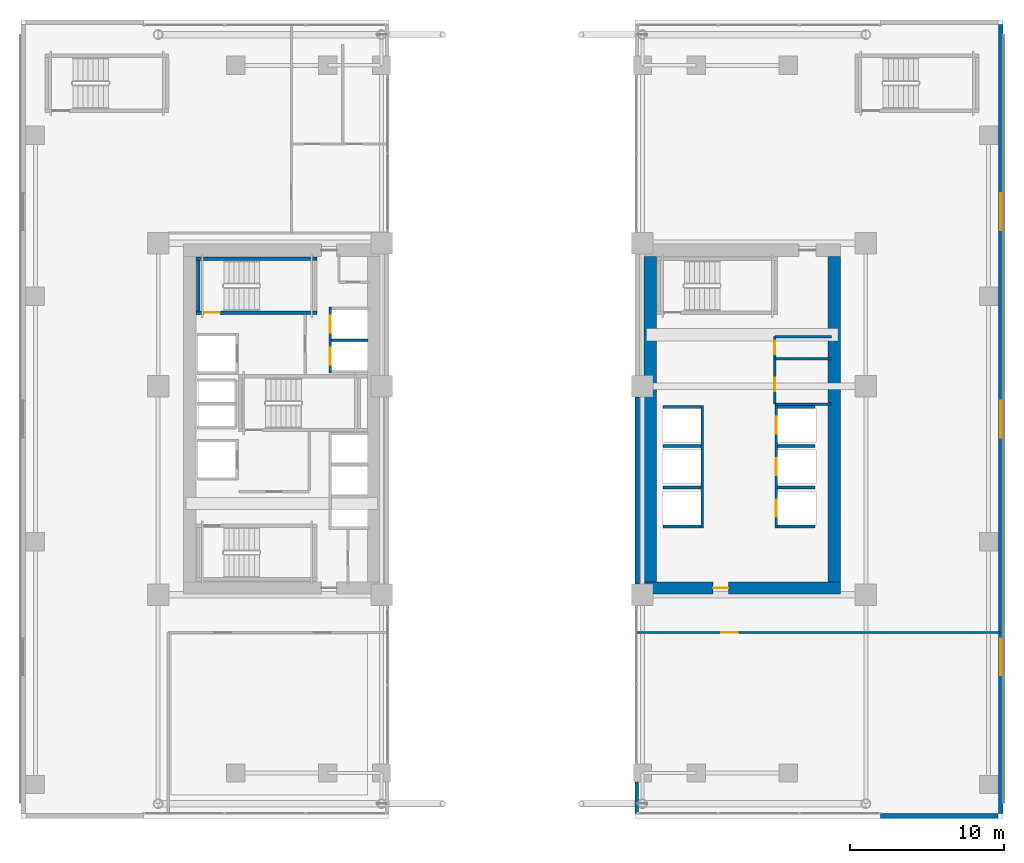
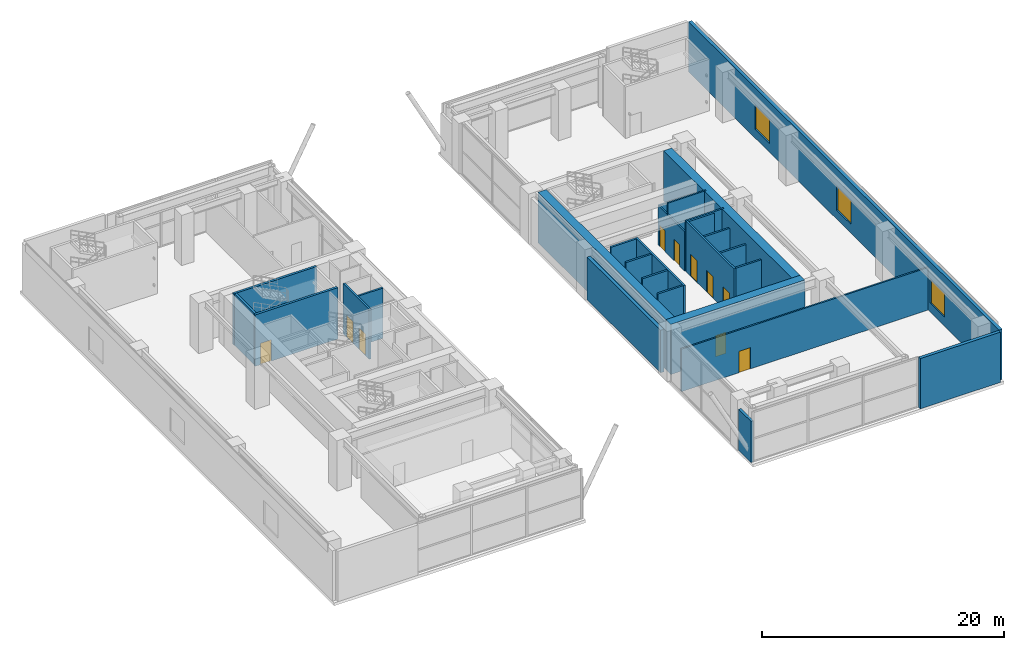
# One storey, part 21 of 29: 27 walls, 10 doors, 3 windows, 13 openings.
"""IFC4 building model written with IfcOpenShell, lengths in metres."""

from ifc_helpers import new_model, si_unit, direction, frame, frame_2d, origin, place, context, subcontext, project, spatial, rectangle, extrude, source, transform, mapped, material, layer, layer_set, type_object, element, fill, save


model = new_model("IFC4")

# Units and contexts
model_context = context("Model", 3, precision=1e-05, world=origin(), true_north=direction((0.0, 1.0)))
body_context = subcontext(model_context, "Body", "Model", "MODEL_VIEW")
ifc_project = project(units=[si_unit("LENGTHUNIT", "METRE"), si_unit("AREAUNIT", "SQUARE_METRE"), si_unit("VOLUMEUNIT", "CUBIC_METRE"), si_unit("PLANEANGLEUNIT", "RADIAN"), si_unit("MASSUNIT", "GRAM", prefix="KILO")], contexts=[model_context])

# Site, building, storey
site_placement = place(None, origin())
site = spatial("IfcSite", under=ifc_project, at=site_placement, CompositionType="ELEMENT")
building_placement = place(site_placement, origin())
building = spatial("IfcBuilding", under=site, at=building_placement, Name="Ocotamira Hotel", CompositionType="ELEMENT")
storey_placement = place(building_placement, frame((0.0, 0.0, 6.0)))
storey = spatial("IfcBuildingStorey", under=building, at=storey_placement, Name="L02", CompositionType="ELEMENT", Elevation=6.0)

# Wall, opening, door
ifc_material_1 = material(Name="Concrete C60/75", Category="concrete")
ifc_layer_1 = layer(ifc_material_1, 0.800048828125)
ifc_layer_set_1 = layer_set([ifc_layer_1], Name="Concrete C60/75")
wall_type_1 = type_object("IfcWallType", Name="WL-CORE-800", PredefinedType="SHEAR", material=ifc_layer_set_1)
wall_1_placement = place(storey_placement, frame((40.60009765625, 15.0, 0.0), z_axis=(0.0, 0.0, 1.0), x_axis=(1.0, 0.0, 0.0)))
wall_1 = element("IfcWall", 1, at=wall_1_placement, inside=storey, type_object=wall_type_1, Name="L02 Shear Core Wall ECORE-S", PredefinedType="SHEAR", context=body_context, shape_type="SweptSolid", body=[
    extrude(rectangle(XDim=12.7998046875, YDim=0.800048828125, at=frame_2d((6.39990234375, 0.0))), origin(), (0.0, 0.0, 1.0), 5.080078125),
])
opening_1_placement = place(wall_1_placement, frame((4.5, 0.0, 0.0)))
opening_1 = element("IfcOpeningElement", 2, at=opening_1_placement, cuts=wall_1, Name="Opening D-FR2", PredefinedType="OPENING", context=body_context, shape_type="SweptSolid", body=[
    extrude(rectangle(XDim=1.0, YDim=2.14990234375, at=frame_2d((0.5, 1.074951171875))), frame((0.0, 0.41015625, 0.0), z_axis=(0.0, -1.0, 0.0), x_axis=(1.0, 0.0, 0.0)), (0.0, 0.0, 1.0), 0.820068359375),
])
ifc_material_2 = material(Name="Fire-rated acoustic timber-veneer door", Category="wood")
door_type_1 = type_object("IfcDoorType", Name="DR-FIRE-1000", OperationType="NOTDEFINED", PredefinedType="DOOR", material=ifc_material_2)
shared_shape_1 = source(origin(), body_context, "Body", "SweptSolid", [
    extrude(rectangle(XDim=1.0, YDim=2.14990234375, at=frame_2d((0.5, 1.074951171875))), frame((0.0, 0.02490234375, 0.0), z_axis=(0.0, -1.0, 0.0), x_axis=(1.0, 0.0, 0.0)), (0.0, 0.0, 1.0), 0.050048828125),
])
door_1_placement = place(opening_1_placement, origin())
door_1 = element("IfcDoor", 3, at=door_1_placement, inside=storey, type_object=door_type_1, Name="L02 Door ID-L02-ELOB-S-D [ID-L02-ELOB-S-D]", OperationType="SINGLE_SWING_RIGHT", OverallHeight=2.14990234375, OverallWidth=1.0, PredefinedType="DOOR", context=body_context, shape_type="MappedRepresentation", body=[
    mapped(shared_shape_1, transform((0.0, 0.0, 0.0), scale=1.0)),
])
fill(opening_1, door_1)

# Walls
for number, where, z_axis, x_axis, name in (
    (4, (41.0, 15.39990234375, 0.0), (0.0, 0.0, 1.0), (0.0, 1.0, 0.0), "L02 Shear Core Wall ECORE-W"),
    (5, (53.0, 15.39990234375, 0.0), (0.0, 0.0, 1.0), (0.0, 1.0, 0.0), "L02 Shear Core Wall ECORE-E"),
):
    element("IfcWall", number, at=place(storey_placement, frame(where, z_axis=z_axis, x_axis=x_axis)), inside=storey, type_object=wall_type_1, Name=name, PredefinedType="SHEAR", context=body_context, shape_type="SweptSolid", body=[
        extrude(rectangle(XDim=21.2001953125, YDim=0.800048828125, at=frame_2d((10.60009765625, 0.0))), origin(), (0.0, 0.0, 1.0), 5.080078125),
    ])

# Wall, openings, windows
ifc_material_3 = material(Name="Travertine-clad precast concrete C45/55", Category="masonry")
ifc_layer_2 = layer(ifc_material_3, 0.300048828125)
ifc_layer_set_2 = layer_set([ifc_layer_2], Name="Travertine-clad precast concrete C45/55")
wall_type_2 = type_object("IfcWallType", Name="WL-EXT-POD-300", PredefinedType="SOLIDWALL", material=ifc_layer_set_2)
wall_2_placement = place(storey_placement, frame((63.85009765625, 51.699951171875, 0.0), z_axis=(0.0, 0.0, 1.0), x_axis=(0.0, -1.0, 0.0)))
wall_2 = element("IfcWall", 6, at=wall_2_placement, inside=storey, type_object=wall_type_2, Name="L02 East Podium Travertine Wall", PredefinedType="SOLIDWALL", context=body_context, shape_type="SweptSolid", body=[
    extrude(rectangle(XDim=51.39990234375, YDim=0.300048828125, at=frame_2d((25.699951171875, 0.0))), origin(), (0.0, 0.0, 1.0), 5.080078125),
])
opening_2_placement = place(wall_2_placement, frame((40.0, 0.0, 0.89990234375)))
opening_2 = element("IfcOpeningElement", 7, at=opening_2_placement, cuts=wall_2, Name="Opening WN-1", PredefinedType="OPENING", context=body_context, shape_type="SweptSolid", body=[
    extrude(rectangle(XDim=2.39990234375, YDim=2.39990234375, at=frame_2d((1.199951171875, 1.199951171875))), frame((0.0, 0.16015625, 0.0), z_axis=(0.0, -1.0, 0.0), x_axis=(1.0, 0.0, 0.0)), (0.0, 0.0, 1.0), 0.320068359375),
])
opening_3_placement = place(wall_2_placement, frame((24.5, 0.0, 0.89990234375)))
opening_3 = element("IfcOpeningElement", 8, at=opening_3_placement, cuts=wall_2, Name="Opening WN-1", PredefinedType="OPENING", context=body_context, shape_type="SweptSolid", body=[
    extrude(rectangle(XDim=2.39990234375, YDim=2.39990234375, at=frame_2d((1.199951171875, 1.199951171875))), frame((0.0, 0.16015625, 0.0), z_axis=(0.0, -1.0, 0.0), x_axis=(1.0, 0.0, 0.0)), (0.0, 0.0, 1.0), 0.320068359375),
])
opening_4_placement = place(wall_2_placement, frame((11.0, 0.0, 0.89990234375)))
opening_4 = element("IfcOpeningElement", 9, at=opening_4_placement, cuts=wall_2, Name="Opening WN-1", PredefinedType="OPENING", context=body_context, shape_type="SweptSolid", body=[
    extrude(rectangle(XDim=2.39990234375, YDim=2.39990234375, at=frame_2d((1.199951171875, 1.199951171875))), frame((0.0, 0.16015625, 0.0), z_axis=(0.0, -1.0, 0.0), x_axis=(1.0, 0.0, 0.0)), (0.0, 0.0, 1.0), 0.320068359375),
])
ifc_material_4 = material(Name="Double-silver low-E solar glass", Category="glass")
window_type = type_object("IfcWindowType", Name="WIN-POD-2400", PartitioningType="SINGLE_PANEL", PredefinedType="WINDOW", material=ifc_material_4)
shared_shape_2 = source(origin(), body_context, "Body", "SweptSolid", [
    extrude(rectangle(XDim=2.39990234375, YDim=2.39990234375, at=frame_2d((1.199951171875, 1.199951171875))), frame((0.0, 0.030029296875, 0.0), z_axis=(0.0, -1.0, 0.0), x_axis=(1.0, 0.0, 0.0)), (0.0, 0.0, 1.0), 0.06005859375),
])
window_1_placement = place(opening_2_placement, origin())
window_1 = element("IfcWindow", 10, at=window_1_placement, inside=storey, type_object=window_type, Name="L02 East Podium Window 1", OverallHeight=2.39990234375, OverallWidth=2.39990234375, PartitioningType="SINGLE_PANEL", PredefinedType="WINDOW", context=body_context, shape_type="MappedRepresentation", body=[
    mapped(shared_shape_2, transform((0.0, 0.0, 0.0), scale=1.0)),
])
fill(opening_2, window_1)
window_2_placement = place(opening_3_placement, origin())
window_2 = element("IfcWindow", 11, at=window_2_placement, inside=storey, type_object=window_type, Name="L02 East Podium Window 2", OverallHeight=2.39990234375, OverallWidth=2.39990234375, PartitioningType="SINGLE_PANEL", PredefinedType="WINDOW", context=body_context, shape_type="MappedRepresentation", body=[
    mapped(shared_shape_2, transform((0.0, 0.0, 0.0), scale=1.0)),
])
fill(opening_3, window_2)
window_3_placement = place(opening_4_placement, origin())
window_3 = element("IfcWindow", 12, at=window_3_placement, inside=storey, type_object=window_type, Name="L02 East Podium Window 3", OverallHeight=2.39990234375, OverallWidth=2.39990234375, PartitioningType="SINGLE_PANEL", PredefinedType="WINDOW", context=body_context, shape_type="MappedRepresentation", body=[
    mapped(shared_shape_2, transform((0.0, 0.0, 0.0), scale=1.0)),
])
fill(opening_4, window_3)

# Walls
wall_3_placement = place(storey_placement, frame((63.64990234375, 0.14990234375, 0.0), z_axis=(0.0, 0.0, 1.0), x_axis=(-1.0, 0.0, 0.0)))
element("IfcWall", 13, at=wall_3_placement, inside=storey, type_object=wall_type_2, Name="L02 S-East Podium Wall", PredefinedType="SOLIDWALL", context=body_context, shape_type="SweptSolid", body=[
    extrude(rectangle(XDim=7.64990234375, YDim=0.300048828125, at=frame_2d((3.824951171875, 0.0))), origin(), (0.0, 0.0, 1.0), 5.080078125),
])
wall_4_placement = place(storey_placement, frame((40.1201171875, 0.300048828125, 0.0), z_axis=(0.0, 0.0, 1.0), x_axis=(0.0, 1.0, 0.0)))
element("IfcWall", 14, at=wall_4_placement, inside=storey, type_object=wall_type_2, Name="L02 Giant Arch South Corner Cheek Wall AE", PredefinedType="SOLIDWALL", context=body_context, shape_type="SweptSolid", body=[
    extrude(rectangle(XDim=2.050048828125, YDim=0.239990234375, at=frame_2d((1.02490234375, 0.0))), origin(), (0.0, 0.0, 1.0), 4.153076171875),
])
wall_5_placement = place(storey_placement, frame((40.14990234375, 15.25, 0.0), z_axis=(0.0, 0.0, 1.0), x_axis=(0.0, 1.0, 0.0)))
element("IfcWall", 15, at=wall_5_placement, inside=storey, type_object=wall_type_2, Name="L02 Giant Arch Core Cheek Wall AE-1", PredefinedType="SOLIDWALL", context=body_context, shape_type="SweptSolid", body=[
    extrude(rectangle(XDim=12.199951171875, YDim=0.300048828125, at=frame_2d((6.10009765625, 0.0))), origin(), (0.0, 0.0, 1.0), 4.301025390625),
])
ifc_material_5 = material(Name="Acoustic double-layer fire gypsum board partition", Category="gypsum")
ifc_layer_3 = layer(ifc_material_5, 0.159912109375)
ifc_layer_set_3 = layer_set([ifc_layer_3], Name="Acoustic double-layer fire gypsum board partition")
wall_type_3 = type_object("IfcWallType", Name="WL-FIRE-160", PredefinedType="PARTITIONING", material=ifc_layer_set_3)
wall_6_placement = place(storey_placement, frame((49.1201171875, 26.969970703125, 0.0), z_axis=(0.0, 0.0, 1.0), x_axis=(1.0, 0.0, 0.0)))
element("IfcWall", 16, at=wall_6_placement, inside=storey, type_object=wall_type_3, Name="L02 Interior Wall PW-L02-EC-NE-S", PredefinedType="PARTITIONING", context=body_context, shape_type="SweptSolid", body=[
    extrude(rectangle(XDim=3.679931640625, YDim=0.159912109375, at=frame_2d((1.83984375, 0.0))), origin(), (0.0, 0.0, 1.0), 5.080078125),
])
wall_7_placement = place(storey_placement, frame((49.1201171875, 31.3798828125, 0.0), z_axis=(0.0, 0.0, 1.0), x_axis=(1.0, 0.0, 0.0)))
element("IfcWall", 17, at=wall_7_placement, inside=storey, type_object=wall_type_3, Name="L02 Interior Wall PW-L02-EC-NE-N", PredefinedType="PARTITIONING", context=body_context, shape_type="SweptSolid", body=[
    extrude(rectangle(XDim=3.679931640625, YDim=0.159912109375, at=frame_2d((1.83984375, 0.0))), origin(), (0.0, 0.0, 1.0), 3.97998046875),
])

# Wall, openings, doors
wall_8_placement = place(storey_placement, frame((49.1201171875, 26.969970703125, 0.0), z_axis=(0.0, 0.0, 1.0), x_axis=(0.0, 1.0, 0.0)))
wall_8 = element("IfcWall", 18, at=wall_8_placement, inside=storey, type_object=wall_type_3, Name="L02 Interior Wall PW-L02-EC-NE-W", PredefinedType="PARTITIONING", context=body_context, shape_type="SweptSolid", body=[
    extrude(rectangle(XDim=4.409912109375, YDim=0.159912109375, at=frame_2d((2.205078125, 0.0))), origin(), (0.0, 0.0, 1.0), 3.97998046875),
])
opening_5_placement = place(wall_8_placement, frame((0.85009765625, 0.0, 0.0)))
opening_5 = element("IfcOpeningElement", 19, at=opening_5_placement, cuts=wall_8, Name="Opening D-SV2", PredefinedType="OPENING", context=body_context, shape_type="SweptSolid", body=[
    extrude(rectangle(XDim=0.8798828125, YDim=2.14990234375, at=frame_2d((0.43994140625, 1.074951171875))), frame((0.0, 0.08984375, 0.0), z_axis=(0.0, -1.0, 0.0), x_axis=(1.0, 0.0, 0.0)), (0.0, 0.0, 1.0), 0.179931640625),
])
opening_6_placement = place(wall_8_placement, frame((3.25, 0.0, 0.0)))
opening_6 = element("IfcOpeningElement", 20, at=opening_6_placement, cuts=wall_8, Name="Opening D-SV2", PredefinedType="OPENING", context=body_context, shape_type="SweptSolid", body=[
    extrude(rectangle(XDim=0.8798828125, YDim=2.14990234375, at=frame_2d((0.43994140625, 1.074951171875))), frame((0.0, 0.08984375, 0.0), z_axis=(0.0, -1.0, 0.0), x_axis=(1.0, 0.0, 0.0)), (0.0, 0.0, 1.0), 0.179931640625),
])
ifc_material_6 = material(Name="Fire-rated painted steel service door", Category="steel")
door_type_2 = type_object("IfcDoorType", Name="DR-SERV-880", OperationType="NOTDEFINED", PredefinedType="DOOR", material=ifc_material_6)
shared_shape_3 = source(origin(), body_context, "Body", "SweptSolid", [
    extrude(rectangle(XDim=0.8798828125, YDim=2.14990234375, at=frame_2d((0.43994140625, 1.074951171875))), frame((0.0, 0.02490234375, 0.0), z_axis=(0.0, -1.0, 0.0), x_axis=(1.0, 0.0, 0.0)), (0.0, 0.0, 1.0), 0.050048828125),
])
door_2_placement = place(opening_5_placement, origin())
door_2 = element("IfcDoor", 21, at=door_2_placement, inside=storey, type_object=door_type_2, Name="L02 Door ID-L02-EC-NE-D1 [ID-L02-EC-NE-D1]", OperationType="SINGLE_SWING_LEFT", OverallHeight=2.14990234375, OverallWidth=0.8798828125, PredefinedType="DOOR", context=body_context, shape_type="MappedRepresentation", body=[
    mapped(shared_shape_3, transform((0.0, 0.0, 0.0), scale=1.0)),
])
fill(opening_5, door_2)
door_3_placement = place(opening_6_placement, origin())
door_3 = element("IfcDoor", 22, at=door_3_placement, inside=storey, type_object=door_type_2, Name="L02 Door ID-L02-EC-NE-D2 [ID-L02-EC-NE-D2]", OperationType="SINGLE_SWING_RIGHT", OverallHeight=2.14990234375, OverallWidth=0.8798828125, PredefinedType="DOOR", context=body_context, shape_type="MappedRepresentation", body=[
    mapped(shared_shape_3, transform((0.0, 0.0, 0.0), scale=1.0)),
])
fill(opening_6, door_3)

# Wall
ifc_material_7 = material(Name="Acoustic hospitality gypsum board partition", Category="gypsum")
ifc_layer_4 = layer(ifc_material_7, 0.14990234375)
ifc_layer_set_4 = layer_set([ifc_layer_4], Name="Acoustic hospitality gypsum board partition")
wall_type_4 = type_object("IfcWallType", Name="WL-PART-150", PredefinedType="PARTITIONING", material=ifc_layer_set_4)
wall_9_placement = place(storey_placement, frame((49.1201171875, 29.929931640625, 0.0), z_axis=(0.0, 0.0, 1.0), x_axis=(1.0, 0.0, 0.0)))
element("IfcWall", 23, at=wall_9_placement, inside=storey, type_object=wall_type_4, Name="L02 Interior Wall PW-L02-EC-NE-Y", PredefinedType="PARTITIONING", context=body_context, shape_type="SweptSolid", body=[
    extrude(rectangle(XDim=3.679931640625, YDim=0.14990234375, at=frame_2d((1.83984375, 0.0))), origin(), (0.0, 0.0, 1.0), 5.080078125),
])

# Wall, opening, door
wall_10_placement = place(storey_placement, frame((40.1201171875, 12.10009765625, 0.0), z_axis=(0.0, 0.0, 1.0), x_axis=(1.0, 0.0, 0.0)))
wall_10 = element("IfcWall", 24, at=wall_10_placement, inside=storey, type_object=wall_type_4, Name="L02 Interior Wall PW-L02-L02-R2-N", PredefinedType="PARTITIONING", context=body_context, shape_type="SweptSolid", body=[
    extrude(rectangle(XDim=23.679931640625, YDim=0.14990234375, at=frame_2d((11.83984375, 0.0))), origin(), (0.0, 0.0, 1.0), 4.301025390625),
])
opening_7_placement = place(wall_10_placement, frame((5.5, 0.0, 0.0)))
opening_7 = element("IfcOpeningElement", 25, at=opening_7_placement, cuts=wall_10, Name="Opening D-FR1", PredefinedType="OPENING", context=body_context, shape_type="SweptSolid", body=[
    extrude(rectangle(XDim=1.10009765625, YDim=2.14990234375, at=frame_2d((0.550048828125, 1.074951171875))), frame((0.0, 0.0849609375, 0.0), z_axis=(0.0, -1.0, 0.0), x_axis=(1.0, 0.0, 0.0)), (0.0, 0.0, 1.0), 0.169921875),
])
door_type_3 = type_object("IfcDoorType", Name="DR-FIRE-1100", OperationType="NOTDEFINED", PredefinedType="DOOR", material=ifc_material_2)
shared_shape_4 = source(origin(), body_context, "Body", "SweptSolid", [
    extrude(rectangle(XDim=1.10009765625, YDim=2.14990234375, at=frame_2d((0.550048828125, 1.074951171875))), frame((0.0, 0.02490234375, 0.0), z_axis=(0.0, -1.0, 0.0), x_axis=(1.0, 0.0, 0.0)), (0.0, 0.0, 1.0), 0.050048828125),
])
door_4_placement = place(opening_7_placement, origin())
door_4 = element("IfcDoor", 26, at=door_4_placement, inside=storey, type_object=door_type_3, Name="L02 Door ID-L02-L02-R2-D [ID-L02-L02-R2-D]", OperationType="SINGLE_SWING_LEFT", OverallHeight=2.14990234375, OverallWidth=1.10009765625, PredefinedType="DOOR", context=body_context, shape_type="MappedRepresentation", body=[
    mapped(shared_shape_4, transform((0.0, 0.0, 0.0), scale=1.0)),
])
fill(opening_7, door_4)

# Wall, openings, doors
ifc_material_8 = material(Name="Fire-rated gypsum shaftliner board assembly", Category="gypsum")
ifc_layer_5 = layer(ifc_material_8, 0.179931640625)
ifc_layer_set_5 = layer_set([ifc_layer_5], Name="Fire-rated gypsum shaftliner board assembly")
wall_type_5 = type_object("IfcWallType", Name="WL-SHAFT-180", PredefinedType="SOLIDWALL", material=ifc_layer_set_5)
wall_11_placement = place(storey_placement, frame((49.2099609375, 18.919921875, 0.0), z_axis=(0.0, 0.0, 1.0), x_axis=(0.0, 1.0, 0.0)))
wall_11 = element("IfcWall", 27, at=wall_11_placement, inside=storey, type_object=wall_type_5, Name="L02 Interior Wall PW-L02-LFW-BANK-low-F", PredefinedType="SOLIDWALL", context=body_context, shape_type="SweptSolid", body=[
    extrude(rectangle(XDim=7.9599609375, YDim=0.179931640625, at=frame_2d((3.97998046875, 0.0))), origin(), (0.0, 0.0, 1.0), 5.080078125),
])
opening_8_placement = place(wall_11_placement, frame((0.72998046875, 0.0, 0.0)))
opening_8 = element("IfcOpeningElement", 28, at=opening_8_placement, cuts=wall_11, Name="Opening LD-LF-P1", PredefinedType="OPENING", context=body_context, shape_type="SweptSolid", body=[
    extrude(rectangle(XDim=1.10009765625, YDim=2.199951171875, at=frame_2d((0.550048828125, 1.10009765625))), frame((0.0, 0.10009765625, 0.0), z_axis=(0.0, -1.0, 0.0), x_axis=(1.0, 0.0, 0.0)), (0.0, 0.0, 1.0), 0.199951171875),
])
opening_9_placement = place(wall_11_placement, frame((3.429931640625, 0.0, 0.0)))
opening_9 = element("IfcOpeningElement", 29, at=opening_9_placement, cuts=wall_11, Name="Opening LD-LF-P2", PredefinedType="OPENING", context=body_context, shape_type="SweptSolid", body=[
    extrude(rectangle(XDim=1.10009765625, YDim=2.199951171875, at=frame_2d((0.550048828125, 1.10009765625))), frame((0.0, 0.10009765625, 0.0), z_axis=(0.0, -1.0, 0.0), x_axis=(1.0, 0.0, 0.0)), (0.0, 0.0, 1.0), 0.199951171875),
])
opening_10_placement = place(wall_11_placement, frame((6.1298828125, 0.0, 0.0)))
opening_10 = element("IfcOpeningElement", 30, at=opening_10_placement, cuts=wall_11, Name="Opening LD-LF-P3", PredefinedType="OPENING", context=body_context, shape_type="SweptSolid", body=[
    extrude(rectangle(XDim=1.10009765625, YDim=2.199951171875, at=frame_2d((0.550048828125, 1.10009765625))), frame((0.0, 0.10009765625, 0.0), z_axis=(0.0, -1.0, 0.0), x_axis=(1.0, 0.0, 0.0)), (0.0, 0.0, 1.0), 0.199951171875),
])
ifc_material_9 = material(Name="Brushed pale-metal stainless elevator landing door", Category="steel")
door_type_4 = type_object("IfcDoorType", Name="DR-LIFT-1100", OperationType="NOTDEFINED", PredefinedType="DOOR", material=ifc_material_9)
shared_shape_5 = source(origin(), body_context, "Body", "SweptSolid", [
    extrude(rectangle(XDim=1.10009765625, YDim=2.199951171875, at=frame_2d((0.550048828125, 1.10009765625))), frame((0.0, 0.02490234375, 0.0), z_axis=(0.0, -1.0, 0.0), x_axis=(1.0, 0.0, 0.0)), (0.0, 0.0, 1.0), 0.050048828125),
])
door_5_placement = place(opening_8_placement, origin())
door_5 = element("IfcDoor", 31, at=door_5_placement, inside=storey, type_object=door_type_4, Name="L02 Landing Door LD-LF-P1 [ID-L02-LD-LF-P1]", OperationType="DOUBLE_DOOR_SLIDING", OverallHeight=2.199951171875, OverallWidth=1.10009765625, PredefinedType="DOOR", context=body_context, shape_type="MappedRepresentation", body=[
    mapped(shared_shape_5, transform((0.0, 0.0, 0.0), scale=1.0)),
])
fill(opening_8, door_5)
door_6_placement = place(opening_9_placement, origin())
door_6 = element("IfcDoor", 32, at=door_6_placement, inside=storey, type_object=door_type_4, Name="L02 Landing Door LD-LF-P2 [ID-L02-LD-LF-P2]", OperationType="DOUBLE_DOOR_SLIDING", OverallHeight=2.199951171875, OverallWidth=1.10009765625, PredefinedType="DOOR", context=body_context, shape_type="MappedRepresentation", body=[
    mapped(shared_shape_5, transform((0.0, 0.0, 0.0), scale=1.0)),
])
fill(opening_9, door_6)
door_7_placement = place(opening_10_placement, origin())
door_7 = element("IfcDoor", 33, at=door_7_placement, inside=storey, type_object=door_type_4, Name="L02 Landing Door LD-LF-P3 [ID-L02-LD-LF-P3]", OperationType="DOUBLE_DOOR_SLIDING", OverallHeight=2.199951171875, OverallWidth=1.10009765625, PredefinedType="DOOR", context=body_context, shape_type="MappedRepresentation", body=[
    mapped(shared_shape_5, transform((0.0, 0.0, 0.0), scale=1.0)),
])
fill(opening_10, door_7)

# Walls
for number, where, z_axis, x_axis, name in (
    (34, (49.300048828125, 19.010009765625, 0.0), (0.0, 0.0, 1.0), (1.0, 0.0, 0.0), "L02 Interior Wall PW-L02-LFW-BANK-low-S"),
    (35, (49.300048828125, 26.7900390625, 0.0), (0.0, 0.0, 1.0), (1.0, 0.0, 0.0), "L02 Interior Wall PW-L02-LFW-BANK-low-N"),
    (36, (49.300048828125, 21.550048828125, 0.0), (0.0, 0.0, 1.0), (1.0, 0.0, 0.0), "L02 Interior Wall PW-L02-LFW-DIV-LF-P1"),
    (37, (49.300048828125, 24.25, 0.0), (0.0, 0.0, 1.0), (1.0, 0.0, 0.0), "L02 Interior Wall PW-L02-LFW-DIV-LF-P2"),
):
    element("IfcWall", number, at=place(storey_placement, frame(where, z_axis=z_axis, x_axis=x_axis)), inside=storey, type_object=wall_type_5, Name=name, PredefinedType="SOLIDWALL", context=body_context, shape_type="SweptSolid", body=[
        extrude(rectangle(XDim=2.449951171875, YDim=0.179931640625, at=frame_2d((1.22509765625, 0.0))), origin(), (0.0, 0.0, 1.0), 5.080078125),
    ])
wall_12_placement = place(storey_placement, frame((44.389892578125, 18.919921875, 0.0), z_axis=(0.0, 0.0, 1.0), x_axis=(0.0, 1.0, 0.0)))
element("IfcWall", 38, at=wall_12_placement, inside=storey, type_object=wall_type_5, Name="L02 Interior Wall PW-L02-LFW-BANK-mid-F", PredefinedType="SOLIDWALL", context=body_context, shape_type="SweptSolid", body=[
    extrude(rectangle(XDim=7.9599609375, YDim=0.179931640625, at=frame_2d((3.97998046875, 0.0))), origin(), (0.0, 0.0, 1.0), 5.080078125),
])
for number, where, z_axis, x_axis, name in (
    (39, (41.85009765625, 19.010009765625, 0.0), (0.0, 0.0, 1.0), (1.0, 0.0, 0.0), "L02 Interior Wall PW-L02-LFW-BANK-mid-S"),
    (40, (41.85009765625, 26.7900390625, 0.0), (0.0, 0.0, 1.0), (1.0, 0.0, 0.0), "L02 Interior Wall PW-L02-LFW-BANK-mid-N"),
    (41, (41.85009765625, 21.550048828125, 0.0), (0.0, 0.0, 1.0), (1.0, 0.0, 0.0), "L02 Interior Wall PW-L02-LFW-DIV-LF-P4"),
    (42, (41.85009765625, 24.25, 0.0), (0.0, 0.0, 1.0), (1.0, 0.0, 0.0), "L02 Interior Wall PW-L02-LFW-DIV-LF-P5"),
):
    element("IfcWall", number, at=place(storey_placement, frame(where, z_axis=z_axis, x_axis=x_axis)), inside=storey, type_object=wall_type_5, Name=name, PredefinedType="SOLIDWALL", context=body_context, shape_type="SweptSolid", body=[
        extrude(rectangle(XDim=2.449951171875, YDim=0.179931640625, at=frame_2d((1.22509765625, 0.0))), origin(), (0.0, 0.0, 1.0), 5.080078125),
    ])

# Wall, openings, doors
wall_13_placement = place(storey_placement, frame((20.159912109375, 29.0, 0.0), z_axis=(0.0, 0.0, 1.0), x_axis=(0.0, 1.0, 0.0)))
wall_13 = element("IfcWall", 43, at=wall_13_placement, inside=storey, type_object=wall_type_5, Name="L02 Interior Wall PW-L02-LFW-BANK-obs-F", PredefinedType="SOLIDWALL", context=body_context, shape_type="SweptSolid", body=[
    extrude(rectangle(XDim=4.2900390625, YDim=0.179931640625, at=frame_2d((2.14501953125, 0.0))), origin(), (0.0, 0.0, 1.0), 5.080078125),
])
opening_11_placement = place(wall_13_placement, frame((0.554931640625, 0.0, 0.0)))
opening_11 = element("IfcOpeningElement", 44, at=opening_11_placement, cuts=wall_13, Name="Opening LD-LF-OBS1", PredefinedType="OPENING", context=body_context, shape_type="SweptSolid", body=[
    extrude(rectangle(XDim=1.10009765625, YDim=2.199951171875, at=frame_2d((0.550048828125, 1.10009765625))), frame((0.0, 0.10009765625, 0.0), z_axis=(0.0, -1.0, 0.0), x_axis=(1.0, 0.0, 0.0)), (0.0, 0.0, 1.0), 0.199951171875),
])
opening_12_placement = place(wall_13_placement, frame((2.635009765625, 0.0, 0.0)))
opening_12 = element("IfcOpeningElement", 45, at=opening_12_placement, cuts=wall_13, Name="Opening LD-LF-OBS2", PredefinedType="OPENING", context=body_context, shape_type="SweptSolid", body=[
    extrude(rectangle(XDim=1.10009765625, YDim=2.199951171875, at=frame_2d((0.550048828125, 1.10009765625))), frame((0.0, 0.10009765625, 0.0), z_axis=(0.0, -1.0, 0.0), x_axis=(1.0, 0.0, 0.0)), (0.0, 0.0, 1.0), 0.199951171875),
])
door_8_placement = place(opening_11_placement, origin())
door_8 = element("IfcDoor", 46, at=door_8_placement, inside=storey, type_object=door_type_4, Name="L02 Landing Door LD-LF-OBS1 [ID-L02-LD-LF-OBS1]", OperationType="DOUBLE_DOOR_SLIDING", OverallHeight=2.199951171875, OverallWidth=1.10009765625, PredefinedType="DOOR", context=body_context, shape_type="MappedRepresentation", body=[
    mapped(shared_shape_5, transform((0.0, 0.0, 0.0), scale=1.0)),
])
fill(opening_11, door_8)
door_9_placement = place(opening_12_placement, origin())
door_9 = element("IfcDoor", 47, at=door_9_placement, inside=storey, type_object=door_type_4, Name="L02 Landing Door LD-LF-OBS2 [ID-L02-LD-LF-OBS2]", OperationType="DOUBLE_DOOR_SLIDING", OverallHeight=2.199951171875, OverallWidth=1.10009765625, PredefinedType="DOOR", context=body_context, shape_type="MappedRepresentation", body=[
    mapped(shared_shape_5, transform((0.0, 0.0, 0.0), scale=1.0)),
])
fill(opening_12, door_9)

# Wall
wall_14_placement = place(storey_placement, frame((20.25, 31.14501953125, 0.0), z_axis=(0.0, 0.0, 1.0), x_axis=(1.0, 0.0, 0.0)))
element("IfcWall", 48, at=wall_14_placement, inside=storey, type_object=wall_type_5, Name="L02 Interior Wall PW-L02-LFW-DIV-LF-OBS1", PredefinedType="SOLIDWALL", context=body_context, shape_type="SweptSolid", body=[
    extrude(rectangle(XDim=2.360107421875, YDim=0.179931640625, at=frame_2d((1.18017578125, 0.0))), origin(), (0.0, 0.0, 1.0), 5.080078125),
])

# Wall, opening, door
ifc_material_10 = material(Name="Concrete C50/60", Category="concrete")
ifc_layer_6 = layer(ifc_material_10, 0.219970703125)
ifc_layer_set_6 = layer_set([ifc_layer_6], Name="Concrete C50/60")
wall_type_6 = type_object("IfcWallType", Name="WL-STAIR-220", PredefinedType="SHEAR", material=ifc_layer_set_6)
wall_15_placement = place(storey_placement, frame((11.39990234375, 32.93994140625, 0.0), z_axis=(0.0, 0.0, 1.0), x_axis=(1.0, 0.0, 0.0)))
wall_15 = element("IfcWall", 49, at=wall_15_placement, inside=storey, type_object=wall_type_6, Name="L02 Stair Shaft Structural Wall ST-2-S", PredefinedType="SHEAR", context=body_context, shape_type="SweptSolid", body=[
    extrude(rectangle(XDim=7.91015625, YDim=0.219970703125, at=frame_2d((3.955078125, 0.0))), origin(), (0.0, 0.0, 1.0), 5.199951171875),
])
opening_13_placement = place(wall_15_placement, frame((0.52001953125, 0.0, 0.0)))
opening_13 = element("IfcOpeningElement", 50, at=opening_13_placement, cuts=wall_15, Name="Opening D-ST2", PredefinedType="OPENING", context=body_context, shape_type="SweptSolid", body=[
    extrude(rectangle(XDim=1.050048828125, YDim=2.14990234375, at=frame_2d((0.52490234375, 1.074951171875))), frame((0.0, 0.1201171875, 0.0), z_axis=(0.0, -1.0, 0.0), x_axis=(1.0, 0.0, 0.0)), (0.0, 0.0, 1.0), 0.239990234375),
])
ifc_material_11 = material(Name="Insulated painted hollow-metal fire exit door", Category="steel")
door_type_5 = type_object("IfcDoorType", Name="DR-STAIR-1050", OperationType="NOTDEFINED", PredefinedType="DOOR", material=ifc_material_11)
shared_shape_6 = source(origin(), body_context, "Body", "SweptSolid", [
    extrude(rectangle(XDim=1.050048828125, YDim=2.14990234375, at=frame_2d((0.52490234375, 1.074951171875))), frame((0.0, 0.02490234375, 0.0), z_axis=(0.0, -1.0, 0.0), x_axis=(1.0, 0.0, 0.0)), (0.0, 0.0, 1.0), 0.050048828125),
])
door_10_placement = place(opening_13_placement, origin())
door_10 = element("IfcDoor", 51, at=door_10_placement, inside=storey, type_object=door_type_5, Name="L02 Door ID-L02-STD-ST-2 [ID-L02-STD-ST-2]", OperationType="SINGLE_SWING_RIGHT", OverallHeight=2.14990234375, OverallWidth=1.050048828125, PredefinedType="DOOR", context=body_context, shape_type="MappedRepresentation", body=[
    mapped(shared_shape_6, transform((0.0, 0.0, 0.0), scale=1.0)),
])
fill(opening_13, door_10)

# Walls
wall_16_placement = place(storey_placement, frame((11.39990234375, 36.43994140625, 0.0), z_axis=(0.0, 0.0, 1.0), x_axis=(1.0, 0.0, 0.0)))
element("IfcWall", 52, at=wall_16_placement, inside=storey, type_object=wall_type_6, Name="L02 Stair Shaft Structural Wall ST-2-N", PredefinedType="SHEAR", context=body_context, shape_type="SweptSolid", body=[
    extrude(rectangle(XDim=7.91015625, YDim=0.219970703125, at=frame_2d((3.955078125, 0.0))), origin(), (0.0, 0.0, 1.0), 5.199951171875),
])
wall_17_placement = place(storey_placement, frame((11.56005859375, 33.050048828125, 0.0), z_axis=(0.0, 0.0, 1.0), x_axis=(0.0, 1.0, 0.0)))
element("IfcWall", 53, at=wall_17_placement, inside=storey, type_object=wall_type_6, Name="L02 Stair Shaft Structural Wall ST-2-W", PredefinedType="SHEAR", context=body_context, shape_type="SweptSolid", body=[
    extrude(rectangle(XDim=3.280029296875, YDim=0.219970703125, at=frame_2d((1.64013671875, 0.0))), origin(), (0.0, 0.0, 1.0), 5.199951171875),
])

save(model, "model.ifc")
